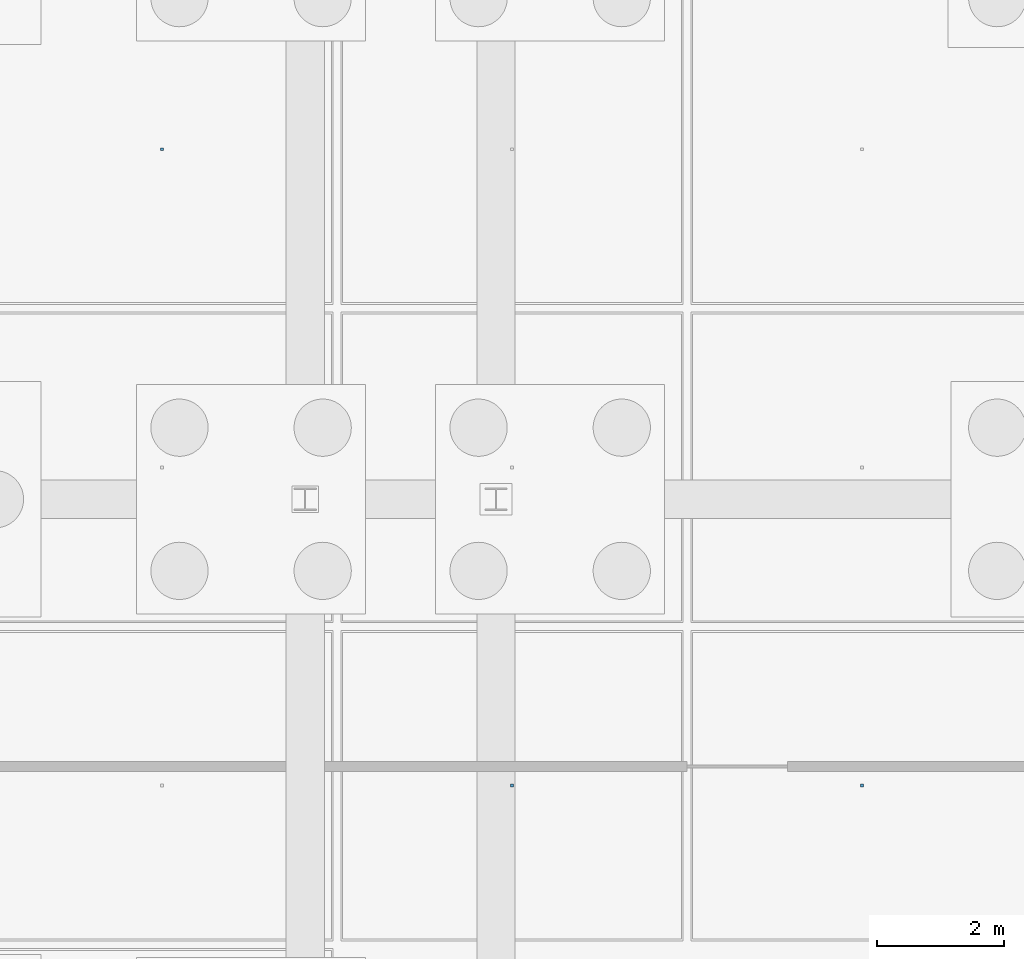
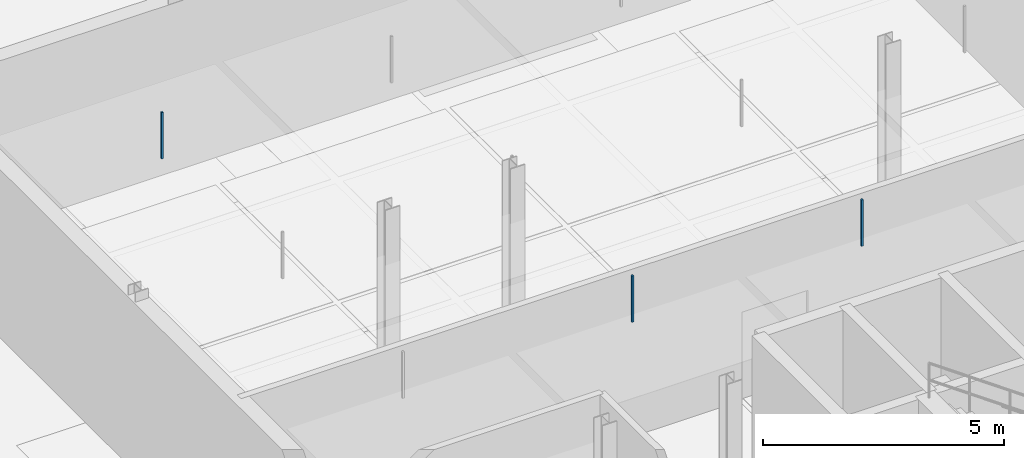
# One storey, part 35 of 48: 3 discrete accessories.
"""IFC4 building model written with IfcOpenShell, lengths in metres."""

import ifcopenshell
import ifcopenshell.guid

model = None  # the IFC model being written
_history = None  # IfcOwnerHistory: only IFC2X3 demands one
_inside = {}  # id of a spatial element -> (the spatial element, [elements in it])
_under = {}  # id of a project, library or spatial element -> (it, [spatial elements below it])
_declared = {}  # id of a project -> (the project, [libraries it declares])
_typed = {}  # id of a type object -> (the type object, [elements of that type])
_made_of = {}  # id of a material, layer set ... -> (it, [elements and type objects made of it])


def new_model(schema):
    """Start an empty IFC model of exactly this schema.

    Asked for "IFC4X3", IfcOpenShell would pick the latest addendum, in which some entities
    have other attributes; the version numbers below select the first issue.
    IFC2X3 requires an IfcOwnerHistory on every rooted entity: one is made here for all.
    """
    global model, _history
    if schema == "IFC4X3":
        model = ifcopenshell.file(schema_version=(4, 3, 0, 0))
    else:
        model = ifcopenshell.file(schema=schema)
    _inside.clear()
    _under.clear()
    _declared.clear()
    _typed.clear()
    _made_of.clear()
    _history = None
    if model.schema == "IFC2X3":
        org = make("IfcOrganization", Name="unknown")
        user = make(
            "IfcPersonAndOrganization",
            ThePerson=make("IfcPerson", FamilyName="unknown"),
            TheOrganization=org,
        )
        app = make(
            "IfcApplication",
            ApplicationDeveloper=org,
            Version="unknown",
            ApplicationFullName="unknown",
            ApplicationIdentifier="unknown",
        )
        _history = make(
            "IfcOwnerHistory",
            OwningUser=user,
            OwningApplication=app,
            ChangeAction="ADDED",
            CreationDate=0,
        )
    return model


def make(cls, **values):
    """One entity of the class cls with the attributes given. An attribute that is None is left unset."""
    return model.create_entity(
        cls, **{name: value for name, value in values.items() if value is not None}
    )


def rooted(cls, **values):
    """An entity with a GlobalId (a new one), such as an element, a storey or a relation."""
    return make(cls, GlobalId=ifcopenshell.guid.new(), OwnerHistory=_history, **values)


def si_unit(unit_type, name, prefix=None):
    """IfcSIUnit, for example si_unit("LENGTHUNIT", "METRE", prefix="MILLI")."""
    return make("IfcSIUnit", UnitType=unit_type, Prefix=prefix, Name=name)


def assignment(units):
    """IfcUnitAssignment: the units of a project."""
    return None if units is None else make("IfcUnitAssignment", Units=units)


def point(xyz):
    """IfcCartesianPoint."""
    return None if xyz is None else make("IfcCartesianPoint", Coordinates=xyz)


def direction(xyz):
    """IfcDirection."""
    return None if xyz is None else make("IfcDirection", DirectionRatios=xyz)


def frame(location, z_axis=None, x_axis=None):
    """IfcAxis2Placement3D, a coordinate frame: its origin and axes. An axis left out is left unset."""
    return make(
        "IfcAxis2Placement3D",
        Location=point(location),
        Axis=direction(z_axis),
        RefDirection=direction(x_axis),
    )


def frame_2d(location, x_axis=None):
    """IfcAxis2Placement2D, a coordinate frame in the plane: its origin and x axis."""
    return make(
        "IfcAxis2Placement2D", Location=point(location), RefDirection=direction(x_axis)
    )


def origin():
    """The frame at (0, 0, 0) with its axes left unset."""
    return frame((0.0, 0.0, 0.0))


def origin_2d():
    """The frame at (0, 0) in the plane with its x axis left unset."""
    return frame_2d((0.0, 0.0))


def place(relative_to, where):
    """IfcLocalPlacement: puts the frame where relative to a parent placement (None: the world)."""
    return make(
        "IfcLocalPlacement", PlacementRelTo=relative_to, RelativePlacement=where
    )


def context(
    kind, dimensions, precision=None, world=None, true_north=None, identifier=None
):
    """IfcGeometricRepresentationContext, for example the 3D "Model" context."""
    return make(
        "IfcGeometricRepresentationContext",
        ContextIdentifier=identifier,
        ContextType=kind,
        CoordinateSpaceDimension=dimensions,
        Precision=precision,
        WorldCoordinateSystem=world,
        TrueNorth=true_north,
    )


def subcontext(parent, identifier, kind, view, scale=None):
    """IfcGeometricRepresentationSubContext, for example "Body" below "Model"."""
    return make(
        "IfcGeometricRepresentationSubContext",
        ContextIdentifier=identifier,
        ContextType=kind,
        ParentContext=parent,
        TargetScale=scale,
        TargetView=view,
    )


def project(units=None, contexts=None):
    """IfcProject with its units and contexts."""
    return rooted(
        "IfcProject",
        Name="project",
        RepresentationContexts=contexts,
        UnitsInContext=assignment(units),
    )


def spatial(cls, under=None, at=None, **own):
    """A site, building, storey or space (cls), placed at a placement, below another one or the project."""
    s = rooted(cls, ObjectPlacement=at, **own)
    if under is not None:
        _under.setdefault(under.id(), (under, []))[1].append(s)
    return s


def profile(cls, at=None, kind="AREA", **sizes):
    """A parametric profile (cls). Its sizes go by their IFC names, for example OverallWidth=200.0."""
    return make(cls, ProfileType=kind, Position=at, **sizes)


def rectangle(**sizes):
    """IfcRectangleProfileDef."""
    return profile("IfcRectangleProfileDef", **sizes)


def extrude(swept, where, along, depth):
    """IfcExtrudedAreaSolid: the profile swept, set in the frame where, extruded along a direction by depth."""
    return make(
        "IfcExtrudedAreaSolid",
        SweptArea=swept,
        Position=where,
        ExtrudedDirection=direction(along),
        Depth=depth,
    )


def shape(context_of_items, identifier, shape_type, items):
    """IfcShapeRepresentation: the items that make up one representation, for example the "Body"."""
    return make(
        "IfcShapeRepresentation",
        ContextOfItems=context_of_items,
        RepresentationIdentifier=identifier,
        RepresentationType=shape_type,
        Items=items,
    )


def material(Name=None, Category=None):
    """IfcMaterial."""
    return make("IfcMaterial", Name=Name, Category=Category)


def made_of(thing, what):
    """Note that an element or type object is made of a material, layer set ...; save() writes the relation."""
    if what is not None:
        _made_of.setdefault(what.id(), (what, []))[1].append(thing)
    return thing


def type_object(cls, material=None, **own):
    """A type object (cls), such as IfcWallType, which elements share."""
    return made_of(rooted(cls, **own), material)


def element(
    cls,
    number,
    at=None,
    inside=None,
    cuts=None,
    type_object=None,
    material=None,
    context=None,
    identifier="Body",
    shape_type=None,
    held_by="IfcProductDefinitionShape",
    body=None,
    shapes=None,
    **own,
):
    """One element of the class cls, such as IfcWall. Its Tag is "e" and its number.

    at: its placement. inside: the storey or other place that contains it. cuts: it is an
    opening in that element (IfcRelVoidsElement). A single representation is given by context,
    identifier, shape_type and body (its items); several are given by shapes. held_by: the class
    of the entity that holds the representations. save() writes the other relations.
    """
    e = rooted(cls, Tag="e%d" % number, ObjectPlacement=at, **own)
    if body is not None:
        shapes = [shape(context, identifier, shape_type, body)]
    if shapes is not None:
        e.Representation = make(held_by, Representations=shapes)
    if inside is not None:
        _inside.setdefault(inside.id(), (inside, []))[1].append(e)
    if cuts is not None:
        rooted(
            "IfcRelVoidsElement", RelatingBuildingElement=cuts, RelatedOpeningElement=e
        )
    if type_object is not None:
        _typed.setdefault(type_object.id(), (type_object, []))[1].append(e)
    return made_of(e, material)


def aggregate(whole, parts):
    """IfcRelAggregates: a whole, such as a stair, and the parts it consists of."""
    return rooted("IfcRelAggregates", RelatingObject=whole, RelatedObjects=parts)


def save(model, path):
    """Write the relations noted so far, then the file.

    IfcRelAggregates (storeys below a building ...), IfcRelContainedInSpatialStructure (elements
    in a storey), IfcRelDefinesByType, IfcRelAssociatesMaterial and IfcRelDeclares: one each for
    every whole, place, type object, material and project.
    """
    for whole, parts in _under.values():
        aggregate(whole, parts)
    for where, things in _inside.values():
        rooted(
            "IfcRelContainedInSpatialStructure",
            RelatedElements=things,
            RelatingStructure=where,
        )
    for kind, things in _typed.values():
        rooted("IfcRelDefinesByType", RelatedObjects=things, RelatingType=kind)
    for what, things in _made_of.values():
        rooted("IfcRelAssociatesMaterial", RelatedObjects=things, RelatingMaterial=what)
    for by, libraries in _declared.values():
        rooted("IfcRelDeclares", RelatingContext=by, RelatedDefinitions=libraries)
    model.write(path)


model = new_model("IFC4")

# Units and contexts
model_context = context("Model", 3, precision=1e-05, world=origin(), true_north=direction((0.0, 1.0)))
body_context = subcontext(model_context, "Body", "Model", "MODEL_VIEW")
ifc_project = project(units=[si_unit("LENGTHUNIT", "METRE"), si_unit("AREAUNIT", "SQUARE_METRE"), si_unit("VOLUMEUNIT", "CUBIC_METRE"), si_unit("PLANEANGLEUNIT", "RADIAN"), si_unit("MASSUNIT", "GRAM", prefix="KILO"), si_unit("THERMODYNAMICTEMPERATUREUNIT", "KELVIN"), si_unit("POWERUNIT", "WATT")], contexts=[model_context])

# Site, building, storey
site_placement = place(None, origin())
site = spatial("IfcSite", under=ifc_project, at=site_placement, CompositionType="ELEMENT")
building_placement = place(site_placement, origin())
building = spatial("IfcBuilding", under=site, at=building_placement, Name="Tallowbark Science Centre", CompositionType="ELEMENT")
storey_placement = place(building_placement, frame((0.0, 0.0, -4.5)))
storey = spatial("IfcBuildingStorey", under=building, at=storey_placement, Name="B1", CompositionType="ELEMENT", Elevation=-4.5)

# Discrete accessories
ifc_material = material(Name="Galvanised Steel Grade C350L0 (350 MPa)", Category="steel")
discrete_accessory_type = type_object("IfcDiscreteAccessoryType", Name="ACC-CLG-HNG", PredefinedType="BRACKET", material=ifc_material)
for number, where, z_axis, x_axis, name in (
    (1, (66.75, 95.5, 3.10498046875), (0.0, 0.0, 1.0), (1.0, 0.0, 0.0), "Ceiling Hanger Bracket B1-38"),
    (2, (72.25, 85.5, 3.10498046875), (0.0, 0.0, 1.0), (1.0, 0.0, 0.0), "Ceiling Hanger Bracket B1-39"),
    (3, (77.75, 85.5, 3.10498046875), (0.0, 0.0, 1.0), (1.0, 0.0, 0.0), "Ceiling Hanger Bracket B1-42"),
):
    element("IfcDiscreteAccessory", number, at=place(storey_placement, frame(where, z_axis=z_axis, x_axis=x_axis)), inside=storey, type_object=discrete_accessory_type, Name=name, PredefinedType="BRACKET", context=body_context, shape_type="SweptSolid", body=[
        extrude(rectangle(XDim=0.044921875, YDim=0.044921875, at=origin_2d()), origin(), (0.0, 0.0, 1.0), 1.177978515625),
    ])

save(model, "model.ifc")
